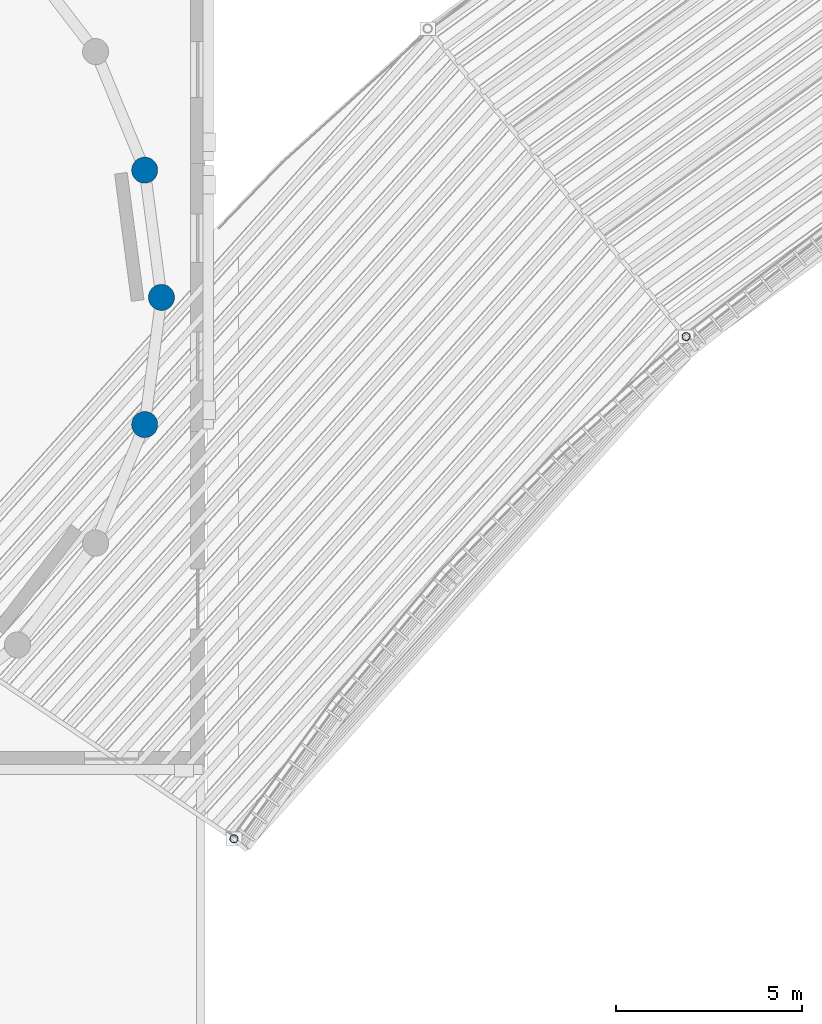
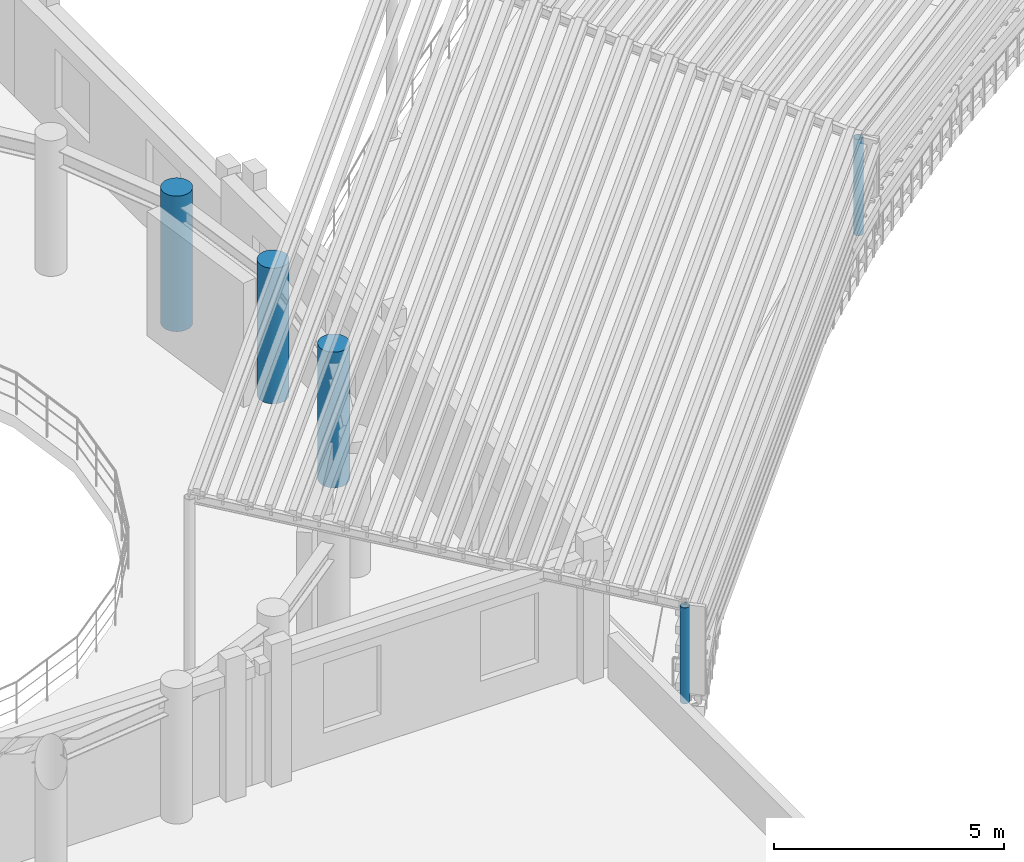
# One storey, part 7 of 74: 5 columns.
"""IFC4 building model written with IfcOpenShell, lengths in metres."""

from ifc_helpers import new_model, si_unit, direction, frame, origin, origin_2d, place, context, subcontext, project, spatial, circle, hollow_circle, extrude, material, material_profile, profile_set, type_object, element, save


model = new_model("IFC4")

# Units and contexts
model_context = context("Model", 3, precision=1e-05, world=origin(), true_north=direction((0.0, 1.0)))
body_context = subcontext(model_context, "Body", "Model", "MODEL_VIEW")
ifc_project = project(units=[si_unit("LENGTHUNIT", "METRE"), si_unit("AREAUNIT", "SQUARE_METRE"), si_unit("VOLUMEUNIT", "CUBIC_METRE"), si_unit("PLANEANGLEUNIT", "RADIAN"), si_unit("MASSUNIT", "GRAM", prefix="KILO")], contexts=[model_context])

# Site, building, storey
site_placement = place(None, origin())
site = spatial("IfcSite", under=ifc_project, at=site_placement, CompositionType="ELEMENT")
building_placement = place(site_placement, origin())
building = spatial("IfcBuilding", under=site, at=building_placement, Name="Clarverna Civic Hall", CompositionType="ELEMENT")
storey_placement = place(building_placement, frame((0.0, 0.0, 13.199951171875)))
storey = spatial("IfcBuildingStorey", under=building, at=storey_placement, Name="L03", CompositionType="ELEMENT", Elevation=13.199951171875)

# Columns
ifc_material_1 = material(Name="Concrete C35/45", Category="concrete")
ifc_material_profile_1 = material_profile(ifc_material_1, circle(Radius=0.35009765625, at=origin_2d()), Name="RC D700")
ifc_profile_set_1 = profile_set([ifc_material_profile_1], Name="Concrete C35/45")
column_type_1 = type_object("IfcColumnType", Name="C-DR3", PredefinedType="COLUMN", material=ifc_profile_set_1)
for number, where, z_axis, x_axis, name in (
    (1, (96.0, 59.0, 0.0), (0.0, 0.0, 1.0), (1.0, 0.0, 0.0), "C-DR3-001"),
    (2, (95.55029296875, 62.41650390625, 0.0), (0.0, 0.0, 1.0), (1.0, 0.0, 0.0), "C-DR3-002"),
    (3, (95.55029296875, 55.58349609375, 0.0), (0.0, 0.0, 1.0), (1.0, 0.0, 0.0), "C-DR3-024"),
):
    element("IfcColumn", number, at=place(storey_placement, frame(where, z_axis=z_axis, x_axis=x_axis)), inside=storey, type_object=column_type_1, Name=name, PredefinedType="COLUMN", context=body_context, shape_type="SweptSolid", body=[
        extrude(circle(Radius=0.35009765625, at=origin_2d()), origin(), (0.0, 0.0, 1.0), 3.60009765625),
    ])
ifc_material_2 = material(Name="Steel S355", Category="steel")
ifc_material_profile_2 = material_profile(ifc_material_2, hollow_circle(Radius=0.109619140625, WallThickness=0.010009765625, at=origin_2d()), Name="CHS 219.1x10.0")
ifc_profile_set_2 = profile_set([ifc_material_profile_2], Name="Steel S355")
column_type_2 = type_object("IfcColumnType", Name="C-ST16", PredefinedType="COLUMN", material=ifc_profile_set_2)
for number, where, z_axis, x_axis, name in (
    (4, (110.090087890625, 57.946044921875, 0.0), (0.0, 0.0, 1.0), (1.0, 0.0, 0.0), "C-ST16-005"),
    (5, (97.94677734375, 44.45947265625, 0.0), (0.0, 0.0, 1.0), (1.0, 0.0, 0.0), "C-ST16-006"),
):
    element("IfcColumn", number, at=place(storey_placement, frame(where, z_axis=z_axis, x_axis=x_axis)), inside=storey, type_object=column_type_2, Name=name, PredefinedType="COLUMN", context=body_context, shape_type="SweptSolid", body=[
        extrude(hollow_circle(Radius=0.109619140625, WallThickness=0.010009765625, at=origin_2d()), origin(), (0.0, 0.0, 1.0), 2.550048828125),
    ])

save(model, "model.ifc")
